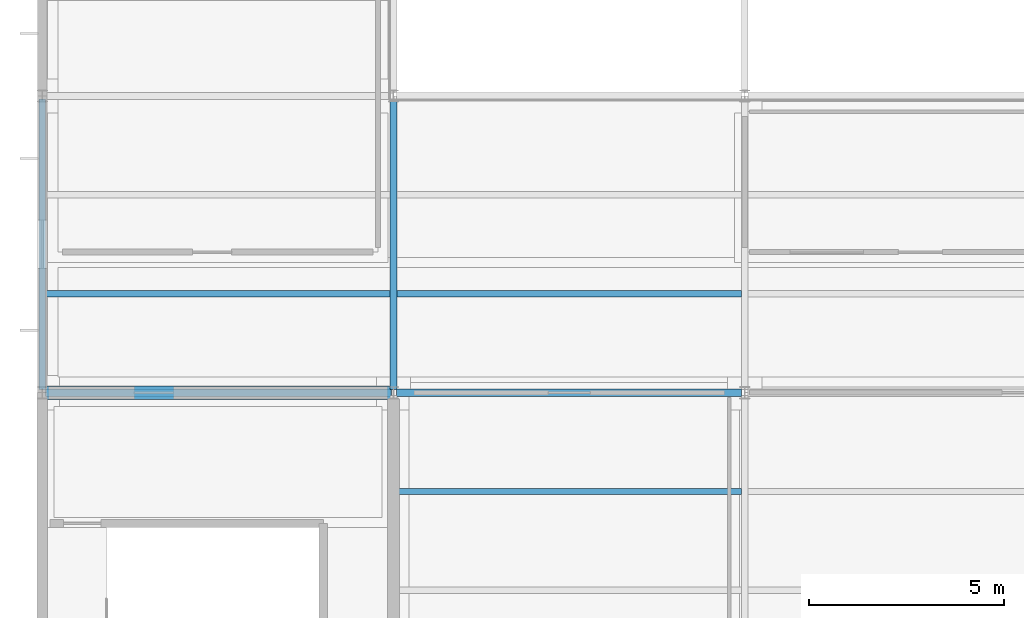
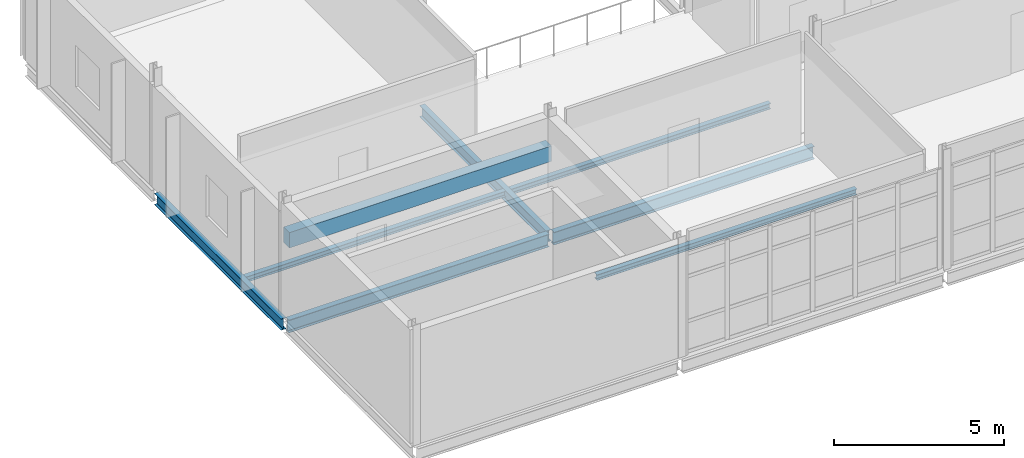
# One storey, part 66 of 174: 8 beams.
"""IFC4 building model written with IfcOpenShell, lengths in metres."""

from ifc_helpers import new_model, si_unit, direction, frame, origin, origin_2d, place, context, subcontext, project, spatial, rectangle, i_section, extrude, material, material_profile, profile_set, type_object, element, save


model = new_model("IFC4")

# Units and contexts
model_context = context("Model", 3, precision=1e-05, world=origin(), true_north=direction((0.0, 1.0)))
body_context = subcontext(model_context, "Body", "Model", "MODEL_VIEW")
ifc_project = project(units=[si_unit("LENGTHUNIT", "METRE"), si_unit("AREAUNIT", "SQUARE_METRE"), si_unit("VOLUMEUNIT", "CUBIC_METRE"), si_unit("PLANEANGLEUNIT", "RADIAN"), si_unit("MASSUNIT", "GRAM", prefix="KILO")], contexts=[model_context])

# Site, building, storey
site_placement = place(None, origin())
site = spatial("IfcSite", under=ifc_project, at=site_placement, CompositionType="ELEMENT")
building_placement = place(site_placement, origin())
building = spatial("IfcBuilding", under=site, at=building_placement, Name="Caisbarro Railhouse Central Library", CompositionType="ELEMENT")
storey_placement = place(building_placement, frame((0.0, 0.0, 5.0400390625)))
storey = spatial("IfcBuildingStorey", under=building, at=storey_placement, Name="L01", CompositionType="ELEMENT", Elevation=5.0400390625)

# Beams
ifc_material_1 = material(Name="Steel ASTM A572 Grade 50", Category="steel")
ifc_material_profile_1 = material_profile(ifc_material_1, i_section(OverallWidth=0.18994140625, OverallDepth=0.45703125, WebThickness=0.009033203125, FlangeThickness=0.014404296875, FilletRadius=0.01806640625, at=origin_2d()), Name="W460X74.0")
ifc_profile_set_1 = profile_set([ifc_material_profile_1], Name="Steel ASTM A572 Grade 50")
beam_type_1 = type_object("IfcBeamType", Name="BM-G08", PredefinedType="BEAM", material=ifc_profile_set_1)
for number, where, z_axis, x_axis, name in (
    (1, (0.080078125, 91.199951171875, -0.428466796875), (1.0, 0.0, 0.0), (0.0, 1.0, 0.0), "G08 beam L01 #1012"),
    (2, (9.080078125, 91.199951171875, -0.428466796875), (1.0, 0.0, 0.0), (0.0, 1.0, 0.0), "G08 beam L01 #1013"),
):
    element("IfcBeam", number, at=place(storey_placement, frame(where, z_axis=z_axis, x_axis=x_axis)), inside=storey, type_object=beam_type_1, Name=name, PredefinedType="BEAM", context=body_context, shape_type="SweptSolid", body=[
        extrude(i_section(OverallWidth=0.18994140625, OverallDepth=0.45703125, WebThickness=0.009033203125, FlangeThickness=0.014404296875, FilletRadius=0.01806640625, at=origin_2d()), origin(), (0.0, 0.0, 1.0), 8.83984375),
    ])
ifc_material_profile_2 = material_profile(ifc_material_1, i_section(OverallWidth=0.177978515625, OverallDepth=0.406982421875, WebThickness=0.0078125, FlangeThickness=0.0126953125, FilletRadius=0.01611328125, at=origin_2d()), Name="W410X60.0")
ifc_profile_set_2 = profile_set([ifc_material_profile_2], Name="Steel ASTM A572 Grade 50")
beam_type_2 = type_object("IfcBeamType", Name="BM-G10", PredefinedType="BEAM", material=ifc_profile_set_2)
for number, where, z_axis, x_axis, name in (
    (3, (0.0, 91.280029296875, -0.403564453125), (0.0, 1.0, 0.0), (-1.0, 0.0, 0.0), "G10 beam L01 #1025"),
    (4, (9.0, 91.280029296875, -0.403564453125), (0.0, 1.0, 0.0), (-1.0, 0.0, 0.0), "G10 beam L01 #1028"),
):
    element("IfcBeam", number, at=place(storey_placement, frame(where, z_axis=z_axis, x_axis=x_axis)), inside=storey, type_object=beam_type_2, Name=name, PredefinedType="BEAM", context=body_context, shape_type="SweptSolid", body=[
        extrude(i_section(OverallWidth=0.177978515625, OverallDepth=0.406982421875, WebThickness=0.0078125, FlangeThickness=0.0126953125, FilletRadius=0.01611328125, at=origin_2d()), origin(), (0.0, 0.0, 1.0), 7.43994140625),
    ])
ifc_material_profile_3 = material_profile(ifc_material_1, i_section(OverallWidth=0.1650390625, OverallDepth=0.200927734375, WebThickness=0.006103515625, FlangeThickness=0.01025390625, FilletRadius=0.010009765625, at=origin_2d()), Name="W200X35.9")
ifc_profile_set_3 = profile_set([ifc_material_profile_3], Name="Steel ASTM A572 Grade 50")
beam_type_3 = type_object("IfcBeamType", Name="BM-J06", PredefinedType="JOIST", material=ifc_profile_set_3)
for number, where, z_axis, x_axis, name in (
    (5, (0.089111328125, 93.7333984375, -0.300537109375), (1.0, 0.0, 0.0), (0.0, 1.0, 0.0), "J06 beam L01 #1039"),
    (6, (9.089111328125, 88.666748046875, -0.300537109375), (1.0, 0.0, 0.0), (0.0, 1.0, 0.0), "J06 beam L01 #1044"),
    (7, (9.089111328125, 93.7333984375, -0.300537109375), (1.0, 0.0, 0.0), (0.0, 1.0, 0.0), "J06 beam L01 #1045"),
):
    element("IfcBeam", number, at=place(storey_placement, frame(where, z_axis=z_axis, x_axis=x_axis)), inside=storey, type_object=beam_type_3, Name=name, PredefinedType="JOIST", context=body_context, shape_type="SweptSolid", body=[
        extrude(i_section(OverallWidth=0.1650390625, OverallDepth=0.200927734375, WebThickness=0.006103515625, FlangeThickness=0.01025390625, FilletRadius=0.010009765625, at=origin_2d()), origin(), (0.0, 0.0, 1.0), 8.82177734375),
    ])
ifc_material_2 = material(Name="Concrete C40", Category="concrete")
ifc_material_profile_4 = material_profile(ifc_material_2, rectangle(XDim=0.35009765625, YDim=0.550048828125, at=origin_2d()), Name="RC-LIN-350X550")
ifc_profile_set_4 = profile_set([ifc_material_profile_4], Name="Concrete C40")
beam_type_4 = type_object("IfcBeamType", Name="BM-LN01", PredefinedType="LINTEL", material=ifc_profile_set_4)
beam_placement = place(storey_placement, frame((0.050048828125, 91.199951171875, 2.724853515625), z_axis=(1.0, 0.0, 0.0), x_axis=(0.0, 1.0, 0.0)))
element("IfcBeam", 8, at=beam_placement, inside=storey, type_object=beam_type_4, Name="LN01 RC core coupling lintel K8 L01", PredefinedType="LINTEL", context=body_context, shape_type="SweptSolid", body=[
    extrude(rectangle(XDim=0.35009765625, YDim=0.550048828125, at=origin_2d()), origin(), (0.0, 0.0, 1.0), 8.89990234375),
])

save(model, "model.ifc")
